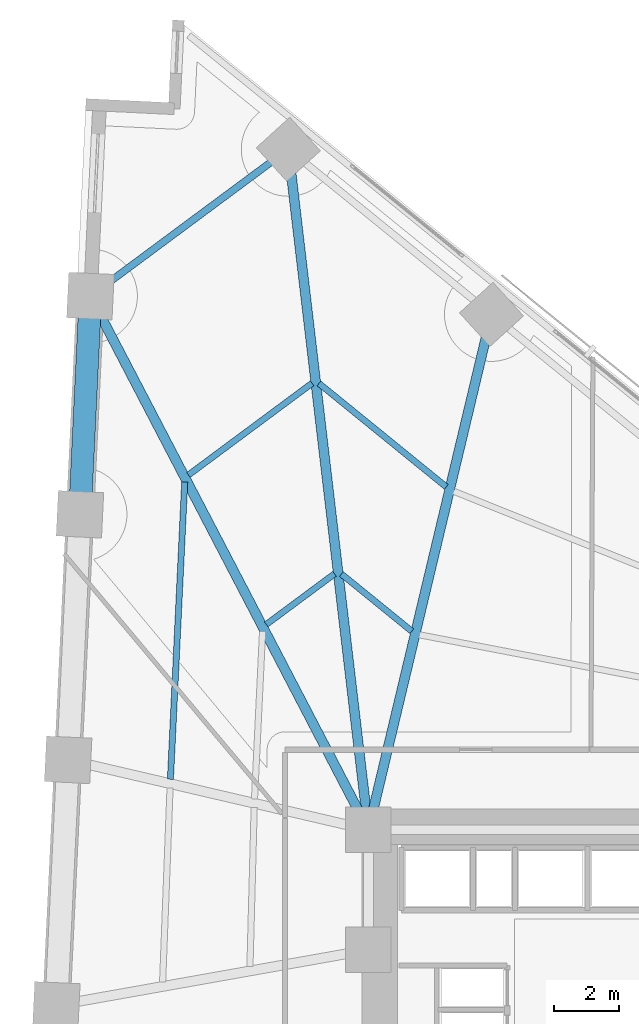
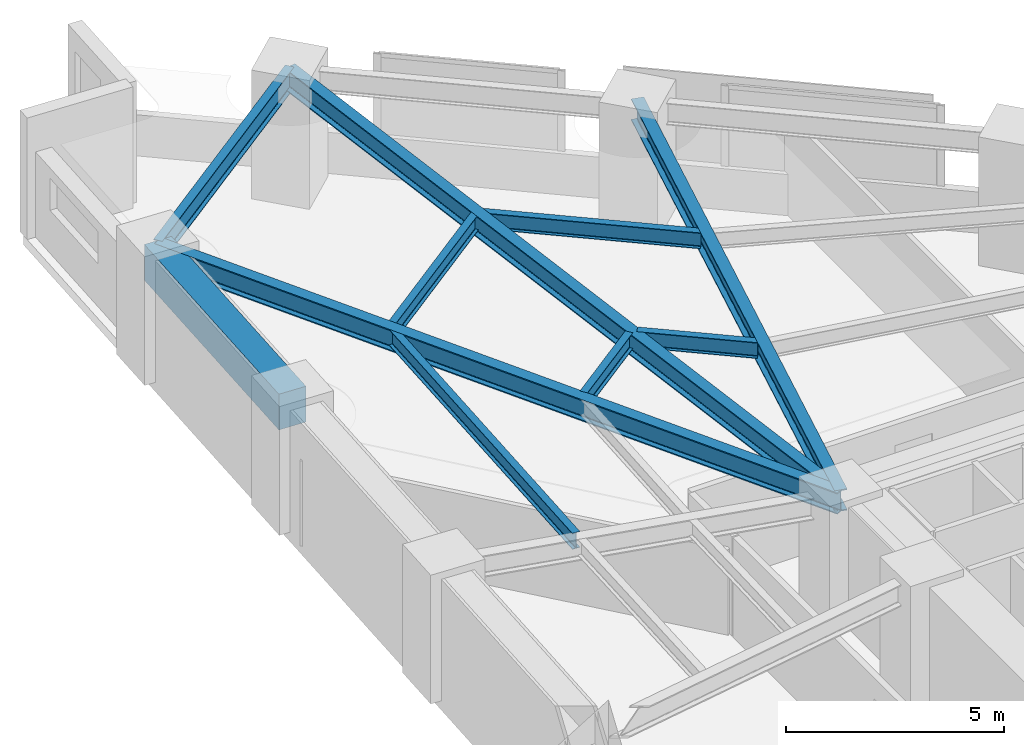
# One storey, part 8 of 17: 10 beams.
"""IFC4 building model written with IfcOpenShell, lengths in metres."""

import ifcopenshell
import ifcopenshell.guid

model = None  # the IFC model being written
_history = None  # IfcOwnerHistory: only IFC2X3 demands one
_inside = {}  # id of a spatial element -> (the spatial element, [elements in it])
_under = {}  # id of a project, library or spatial element -> (it, [spatial elements below it])
_declared = {}  # id of a project -> (the project, [libraries it declares])
_typed = {}  # id of a type object -> (the type object, [elements of that type])
_made_of = {}  # id of a material, layer set ... -> (it, [elements and type objects made of it])


def new_model(schema):
    """Start an empty IFC model of exactly this schema.

    Asked for "IFC4X3", IfcOpenShell would pick the latest addendum, in which some entities
    have other attributes; the version numbers below select the first issue.
    IFC2X3 requires an IfcOwnerHistory on every rooted entity: one is made here for all.
    """
    global model, _history
    if schema == "IFC4X3":
        model = ifcopenshell.file(schema_version=(4, 3, 0, 0))
    else:
        model = ifcopenshell.file(schema=schema)
    _inside.clear()
    _under.clear()
    _declared.clear()
    _typed.clear()
    _made_of.clear()
    _history = None
    if model.schema == "IFC2X3":
        org = make("IfcOrganization", Name="unknown")
        user = make(
            "IfcPersonAndOrganization",
            ThePerson=make("IfcPerson", FamilyName="unknown"),
            TheOrganization=org,
        )
        app = make(
            "IfcApplication",
            ApplicationDeveloper=org,
            Version="unknown",
            ApplicationFullName="unknown",
            ApplicationIdentifier="unknown",
        )
        _history = make(
            "IfcOwnerHistory",
            OwningUser=user,
            OwningApplication=app,
            ChangeAction="ADDED",
            CreationDate=0,
        )
    return model


def make(cls, **values):
    """One entity of the class cls with the attributes given. An attribute that is None is left unset."""
    return model.create_entity(
        cls, **{name: value for name, value in values.items() if value is not None}
    )


def rooted(cls, **values):
    """An entity with a GlobalId (a new one), such as an element, a storey or a relation."""
    return make(cls, GlobalId=ifcopenshell.guid.new(), OwnerHistory=_history, **values)


def si_unit(unit_type, name, prefix=None):
    """IfcSIUnit, for example si_unit("LENGTHUNIT", "METRE", prefix="MILLI")."""
    return make("IfcSIUnit", UnitType=unit_type, Prefix=prefix, Name=name)


def assignment(units):
    """IfcUnitAssignment: the units of a project."""
    return None if units is None else make("IfcUnitAssignment", Units=units)


def point(xyz):
    """IfcCartesianPoint."""
    return None if xyz is None else make("IfcCartesianPoint", Coordinates=xyz)


def direction(xyz):
    """IfcDirection."""
    return None if xyz is None else make("IfcDirection", DirectionRatios=xyz)


def frame(location, z_axis=None, x_axis=None):
    """IfcAxis2Placement3D, a coordinate frame: its origin and axes. An axis left out is left unset."""
    return make(
        "IfcAxis2Placement3D",
        Location=point(location),
        Axis=direction(z_axis),
        RefDirection=direction(x_axis),
    )


def frame_2d(location, x_axis=None):
    """IfcAxis2Placement2D, a coordinate frame in the plane: its origin and x axis."""
    return make(
        "IfcAxis2Placement2D", Location=point(location), RefDirection=direction(x_axis)
    )


def origin():
    """The frame at (0, 0, 0) with its axes left unset."""
    return frame((0.0, 0.0, 0.0))


def origin_2d():
    """The frame at (0, 0) in the plane with its x axis left unset."""
    return frame_2d((0.0, 0.0))


def place(relative_to, where):
    """IfcLocalPlacement: puts the frame where relative to a parent placement (None: the world)."""
    return make(
        "IfcLocalPlacement", PlacementRelTo=relative_to, RelativePlacement=where
    )


def context(
    kind, dimensions, precision=None, world=None, true_north=None, identifier=None
):
    """IfcGeometricRepresentationContext, for example the 3D "Model" context."""
    return make(
        "IfcGeometricRepresentationContext",
        ContextIdentifier=identifier,
        ContextType=kind,
        CoordinateSpaceDimension=dimensions,
        Precision=precision,
        WorldCoordinateSystem=world,
        TrueNorth=true_north,
    )


def subcontext(parent, identifier, kind, view, scale=None):
    """IfcGeometricRepresentationSubContext, for example "Body" below "Model"."""
    return make(
        "IfcGeometricRepresentationSubContext",
        ContextIdentifier=identifier,
        ContextType=kind,
        ParentContext=parent,
        TargetScale=scale,
        TargetView=view,
    )


def project(units=None, contexts=None):
    """IfcProject with its units and contexts."""
    return rooted(
        "IfcProject",
        Name="project",
        RepresentationContexts=contexts,
        UnitsInContext=assignment(units),
    )


def spatial(cls, under=None, at=None, **own):
    """A site, building, storey or space (cls), placed at a placement, below another one or the project."""
    s = rooted(cls, ObjectPlacement=at, **own)
    if under is not None:
        _under.setdefault(under.id(), (under, []))[1].append(s)
    return s


def profile(cls, at=None, kind="AREA", **sizes):
    """A parametric profile (cls). Its sizes go by their IFC names, for example OverallWidth=200.0."""
    return make(cls, ProfileType=kind, Position=at, **sizes)


def rectangle(**sizes):
    """IfcRectangleProfileDef."""
    return profile("IfcRectangleProfileDef", **sizes)


def i_section(**sizes):
    """IfcIShapeProfileDef."""
    return profile("IfcIShapeProfileDef", **sizes)


def extrude(swept, where, along, depth):
    """IfcExtrudedAreaSolid: the profile swept, set in the frame where, extruded along a direction by depth."""
    return make(
        "IfcExtrudedAreaSolid",
        SweptArea=swept,
        Position=where,
        ExtrudedDirection=direction(along),
        Depth=depth,
    )


def shape(context_of_items, identifier, shape_type, items):
    """IfcShapeRepresentation: the items that make up one representation, for example the "Body"."""
    return make(
        "IfcShapeRepresentation",
        ContextOfItems=context_of_items,
        RepresentationIdentifier=identifier,
        RepresentationType=shape_type,
        Items=items,
    )


def material(Name=None, Category=None):
    """IfcMaterial."""
    return make("IfcMaterial", Name=Name, Category=Category)


def material_profile(
    of_material, cross_section, Name=None, Category=None, Priority=None
):
    """IfcMaterialProfile: a cross section and its material."""
    return make(
        "IfcMaterialProfile",
        Name=Name,
        Material=of_material,
        Profile=cross_section,
        Priority=Priority,
        Category=Category,
    )


def profile_set(profiles, Name=None, composite=None):
    """IfcMaterialProfileSet."""
    return make(
        "IfcMaterialProfileSet",
        Name=Name,
        MaterialProfiles=profiles,
        CompositeProfile=composite,
    )


def made_of(thing, what):
    """Note that an element or type object is made of a material, layer set ...; save() writes the relation."""
    if what is not None:
        _made_of.setdefault(what.id(), (what, []))[1].append(thing)
    return thing


def type_object(cls, material=None, **own):
    """A type object (cls), such as IfcWallType, which elements share."""
    return made_of(rooted(cls, **own), material)


def element(
    cls,
    number,
    at=None,
    inside=None,
    cuts=None,
    type_object=None,
    material=None,
    context=None,
    identifier="Body",
    shape_type=None,
    held_by="IfcProductDefinitionShape",
    body=None,
    shapes=None,
    **own,
):
    """One element of the class cls, such as IfcWall. Its Tag is "e" and its number.

    at: its placement. inside: the storey or other place that contains it. cuts: it is an
    opening in that element (IfcRelVoidsElement). A single representation is given by context,
    identifier, shape_type and body (its items); several are given by shapes. held_by: the class
    of the entity that holds the representations. save() writes the other relations.
    """
    e = rooted(cls, Tag="e%d" % number, ObjectPlacement=at, **own)
    if body is not None:
        shapes = [shape(context, identifier, shape_type, body)]
    if shapes is not None:
        e.Representation = make(held_by, Representations=shapes)
    if inside is not None:
        _inside.setdefault(inside.id(), (inside, []))[1].append(e)
    if cuts is not None:
        rooted(
            "IfcRelVoidsElement", RelatingBuildingElement=cuts, RelatedOpeningElement=e
        )
    if type_object is not None:
        _typed.setdefault(type_object.id(), (type_object, []))[1].append(e)
    return made_of(e, material)


def aggregate(whole, parts):
    """IfcRelAggregates: a whole, such as a stair, and the parts it consists of."""
    return rooted("IfcRelAggregates", RelatingObject=whole, RelatedObjects=parts)


def save(model, path):
    """Write the relations noted so far, then the file.

    IfcRelAggregates (storeys below a building ...), IfcRelContainedInSpatialStructure (elements
    in a storey), IfcRelDefinesByType, IfcRelAssociatesMaterial and IfcRelDeclares: one each for
    every whole, place, type object, material and project.
    """
    for whole, parts in _under.values():
        aggregate(whole, parts)
    for where, things in _inside.values():
        rooted(
            "IfcRelContainedInSpatialStructure",
            RelatedElements=things,
            RelatingStructure=where,
        )
    for kind, things in _typed.values():
        rooted("IfcRelDefinesByType", RelatedObjects=things, RelatingType=kind)
    for what, things in _made_of.values():
        rooted("IfcRelAssociatesMaterial", RelatedObjects=things, RelatingMaterial=what)
    for by, libraries in _declared.values():
        rooted("IfcRelDeclares", RelatingContext=by, RelatedDefinitions=libraries)
    model.write(path)


model = new_model("IFC4")

# Units and contexts
model_context = context("Model", 3, precision=1e-05, world=origin(), true_north=direction((0.0, 1.0)))
body_context = subcontext(model_context, "Body", "Model", "MODEL_VIEW")
ifc_project = project(units=[si_unit("LENGTHUNIT", "METRE"), si_unit("AREAUNIT", "SQUARE_METRE"), si_unit("VOLUMEUNIT", "CUBIC_METRE"), si_unit("PLANEANGLEUNIT", "RADIAN"), si_unit("MASSUNIT", "GRAM", prefix="KILO")], contexts=[model_context])

# Site, building, storey
site_placement = place(None, origin())
site = spatial("IfcSite", under=ifc_project, at=site_placement, CompositionType="ELEMENT")
building_placement = place(site_placement, origin())
building = spatial("IfcBuilding", under=site, at=building_placement, Name="Narakoshi Arena Tower", CompositionType="ELEMENT")
storey_placement = place(building_placement, frame((0.0, 0.0, 37.5)))
storey = spatial("IfcBuildingStorey", under=building, at=storey_placement, Name="L09", CompositionType="ELEMENT", Elevation=37.5)

# Beams
ifc_material_1 = material(Name="Concrete C60/75", Category="concrete")
ifc_material_profile_1 = material_profile(ifc_material_1, rectangle(XDim=0.699951171875, YDim=1.0, at=origin_2d()), Name="RCB700x1000")
ifc_profile_set_1 = profile_set([ifc_material_profile_1], Name="Concrete C60/75")
beam_type_1 = type_object("IfcBeamType", Name="BM-CPL-1000", PredefinedType="BEAM", material=ifc_profile_set_1)
beam_1_placement = place(storey_placement, frame((63.42822265625, 72.95654296875, 2.89990234375), z_axis=(-0.047987034988, -0.998847958637, 0.0), x_axis=(0.998847958637, -0.047987034988, 0.0)))
element("IfcBeam", 1, at=beam_1_placement, inside=storey, type_object=beam_type_1, Name="L09 Perimeter Edge Girder 13", PredefinedType="BEAM", context=body_context, shape_type="SweptSolid", body=[
    extrude(rectangle(XDim=0.699951171875, YDim=1.0, at=origin_2d()), origin(), (0.0, 0.0, 1.0), 6.736083984375),
])
ifc_material_2 = material(Name="Structural steel S355J2", Category="steel")
ifc_material_profile_2 = material_profile(ifc_material_2, i_section(OverallWidth=0.219970703125, OverallDepth=0.60009765625, WebThickness=0.011962890625, FlangeThickness=0.01904296875, FilletRadius=0.02392578125, at=origin_2d()), Name="IPE600")
ifc_profile_set_2 = profile_set([ifc_material_profile_2], Name="Structural steel S355J2")
beam_type_2 = type_object("IfcBeamType", Name="BM-EDGE-600", PredefinedType="BEAM", material=ifc_profile_set_2)
beam_2_placement = place(storey_placement, frame((69.531005859375, 77.483154296875, 3.10009765625), z_axis=(-0.80317737809, -0.595739959482, 0.0), x_axis=(0.595739959482, -0.80317737809, 0.0)))
element("IfcBeam", 2, at=beam_2_placement, inside=storey, type_object=beam_type_2, Name="L09 Perimeter Edge Girder 12", PredefinedType="BEAM", context=body_context, shape_type="SweptSolid", body=[
    extrude(i_section(OverallWidth=0.219970703125, OverallDepth=0.60009765625, WebThickness=0.011962890625, FlangeThickness=0.01904296875, FilletRadius=0.02392578125, at=origin_2d()), origin(), (0.0, 0.0, 1.0), 7.598388671875),
])
ifc_material_profile_3 = material_profile(ifc_material_2, i_section(OverallWidth=0.300048828125, OverallDepth=0.60009765625, WebThickness=0.015380859375, FlangeThickness=0.030029296875, FilletRadius=0.027099609375, at=origin_2d()), Name="HE600B")
ifc_profile_set_3 = profile_set([ifc_material_profile_3], Name="Structural steel S355J2")
beam_type_3 = type_object("IfcBeamType", Name="BM-PRI-600", PredefinedType="BEAM", material=ifc_profile_set_3)
beam_3_placement = place(storey_placement, frame((72.0, 56.5, 3.10009765625), z_axis=(0.23221708245, 0.972663984436, 0.0), x_axis=(-0.972663984436, 0.23221708245, 0.0)))
element("IfcBeam", 3, at=beam_3_placement, inside=storey, type_object=beam_type_3, Name="L09 Radial Primary Floor Girder 11", PredefinedType="BEAM", context=body_context, shape_type="SweptSolid", body=[
    extrude(i_section(OverallWidth=0.300048828125, OverallDepth=0.60009765625, WebThickness=0.015380859375, FlangeThickness=0.030029296875, FilletRadius=0.027099609375, at=origin_2d()), origin(), (0.0, 0.0, 1.0), 16.3388671875),
])
beam_4_placement = place(storey_placement, frame((72.0, 56.5, 3.10009765625), z_axis=(-0.11685934963, 0.993148474501, 0.0), x_axis=(-0.993148474501, -0.11685934963, 0.0)))
element("IfcBeam", 4, at=beam_4_placement, inside=storey, type_object=beam_type_3, Name="L09 Radial Primary Floor Girder 12", PredefinedType="BEAM", context=body_context, shape_type="SweptSolid", body=[
    extrude(i_section(OverallWidth=0.300048828125, OverallDepth=0.60009765625, WebThickness=0.015380859375, FlangeThickness=0.030029296875, FilletRadius=0.027099609375, at=origin_2d()), origin(), (0.0, 0.0, 1.0), 21.1279296875),
])
beam_5_placement = place(storey_placement, frame((72.0, 56.5, 3.10009765625), z_axis=(-0.461962449766, 0.886899484162, 0.0), x_axis=(-0.886899484162, -0.461962449766, 0.0)))
element("IfcBeam", 5, at=beam_5_placement, inside=storey, type_object=beam_type_3, Name="L09 Radial Primary Floor Girder 13", PredefinedType="BEAM", context=body_context, shape_type="SweptSolid", body=[
    extrude(i_section(OverallWidth=0.300048828125, OverallDepth=0.60009765625, WebThickness=0.015380859375, FlangeThickness=0.030029296875, FilletRadius=0.027099609375, at=origin_2d()), origin(), (0.0, 0.0, 1.0), 18.55517578125),
])
ifc_material_profile_4 = material_profile(ifc_material_2, i_section(OverallWidth=0.18994140625, OverallDepth=0.449951171875, WebThickness=0.009521484375, FlangeThickness=0.0146484375, FilletRadius=0.02099609375, at=origin_2d()), Name="IPE450")
ifc_profile_set_4 = profile_set([ifc_material_profile_4], Name="Structural steel S355J2")
beam_type_4 = type_object("IfcBeamType", Name="BM-SEC-450", PredefinedType="JOIST", material=ifc_profile_set_4)
beam_6_placement = place(storey_placement, frame((73.337158203125, 62.624267578125, 3.175048828125), z_axis=(-0.776025888879, 0.630701054216, 0.0), x_axis=(-0.630701054216, -0.776025888879, 0.0)))
element("IfcBeam", 6, at=beam_6_placement, inside=storey, type_object=beam_type_4, Name="L09 Composite Secondary Floor Joist 15", PredefinedType="JOIST", context=body_context, shape_type="SweptSolid", body=[
    extrude(i_section(OverallWidth=0.18994140625, OverallDepth=0.449951171875, WebThickness=0.009521484375, FlangeThickness=0.0146484375, FilletRadius=0.02099609375, at=origin_2d()), origin(), (0.0, 0.0, 1.0), 2.797119140625),
])
beam_7_placement = place(storey_placement, frame((74.3994140625, 67.07421875, 3.175048828125), z_axis=(-0.775998804772, 0.630734377526, 0.0), x_axis=(-0.630734377526, -0.775998804772, 0.0)))
element("IfcBeam", 7, at=beam_7_placement, inside=storey, type_object=beam_type_4, Name="L09 Composite Secondary Floor Joist 16", PredefinedType="JOIST", context=body_context, shape_type="SweptSolid", body=[
    extrude(i_section(OverallWidth=0.18994140625, OverallDepth=0.449951171875, WebThickness=0.009521484375, FlangeThickness=0.0146484375, FilletRadius=0.02099609375, at=origin_2d()), origin(), (0.0, 0.0, 1.0), 5.05712890625),
])
beam_8_placement = place(storey_placement, frame((70.953369140625, 64.393310546875, 3.175048828125), z_axis=(-0.803145542417, -0.595782877981, 0.0), x_axis=(0.595782877981, -0.803145542417, 0.0)))
element("IfcBeam", 8, at=beam_8_placement, inside=storey, type_object=beam_type_4, Name="L09 Composite Secondary Floor Joist 17", PredefinedType="JOIST", context=body_context, shape_type="SweptSolid", body=[
    extrude(i_section(OverallWidth=0.18994140625, OverallDepth=0.449951171875, WebThickness=0.009521484375, FlangeThickness=0.0146484375, FilletRadius=0.02099609375, at=origin_2d()), origin(), (0.0, 0.0, 1.0), 2.6171875),
])
beam_9_placement = place(storey_placement, frame((70.261962890625, 70.2685546875, 3.175048828125), z_axis=(-0.803168713444, -0.595751640992, 0.0), x_axis=(0.595751640992, -0.803168713444, 0.0)))
element("IfcBeam", 9, at=beam_9_placement, inside=storey, type_object=beam_type_4, Name="L09 Composite Secondary Floor Joist 18", PredefinedType="JOIST", context=body_context, shape_type="SweptSolid", body=[
    extrude(i_section(OverallWidth=0.18994140625, OverallDepth=0.449951171875, WebThickness=0.009521484375, FlangeThickness=0.0146484375, FilletRadius=0.02099609375, at=origin_2d()), origin(), (0.0, 0.0, 1.0), 4.74462890625),
])
beam_10_placement = place(storey_placement, frame((66.336181640625, 67.2265625, 3.175048828125), z_axis=(-0.047964546221, -0.998849038797, 0.0), x_axis=(0.998849038797, -0.047964546221, 0.0)))
element("IfcBeam", 10, at=beam_10_placement, inside=storey, type_object=beam_type_4, Name="L09 Composite Secondary Floor Joist 20", PredefinedType="JOIST", context=body_context, shape_type="SweptSolid", body=[
    extrude(i_section(OverallWidth=0.18994140625, OverallDepth=0.449951171875, WebThickness=0.009521484375, FlangeThickness=0.0146484375, FilletRadius=0.02099609375, at=origin_2d()), origin(), (0.0, 0.0, 1.0), 9.17724609375),
])

save(model, "model.ifc")
